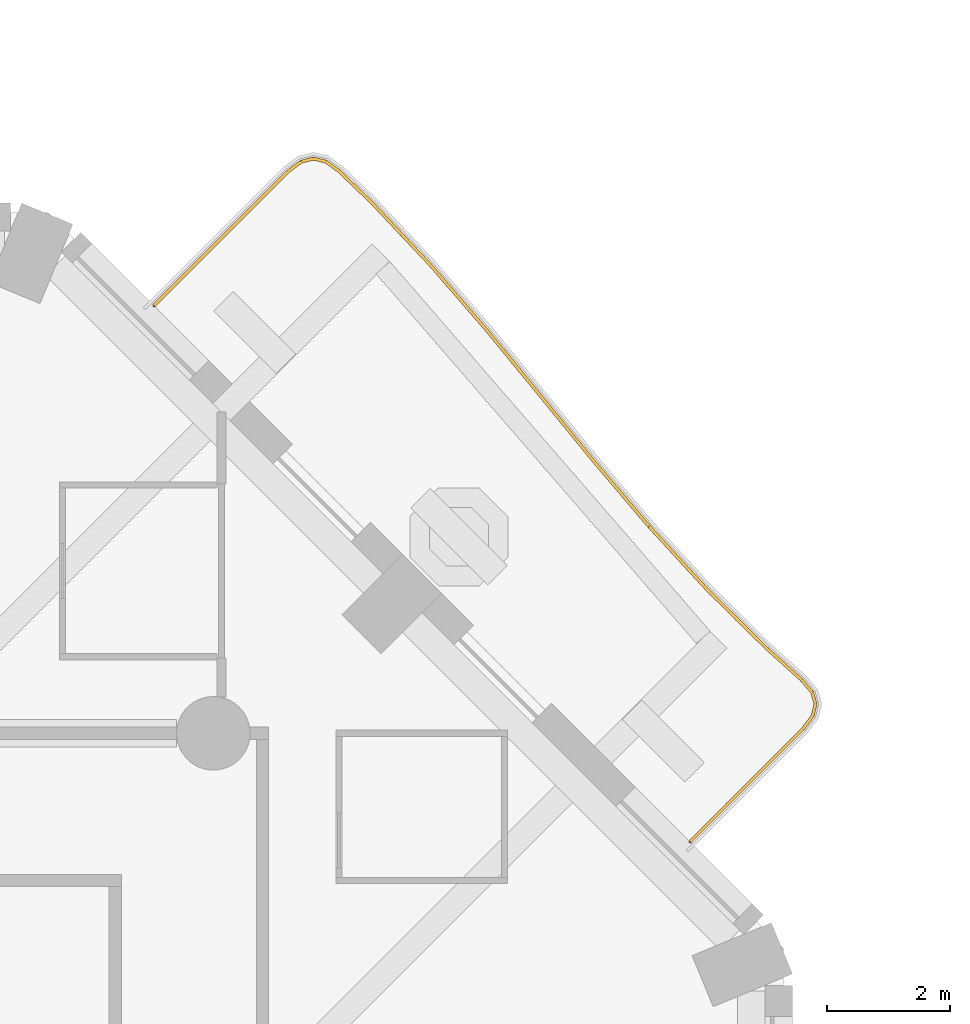
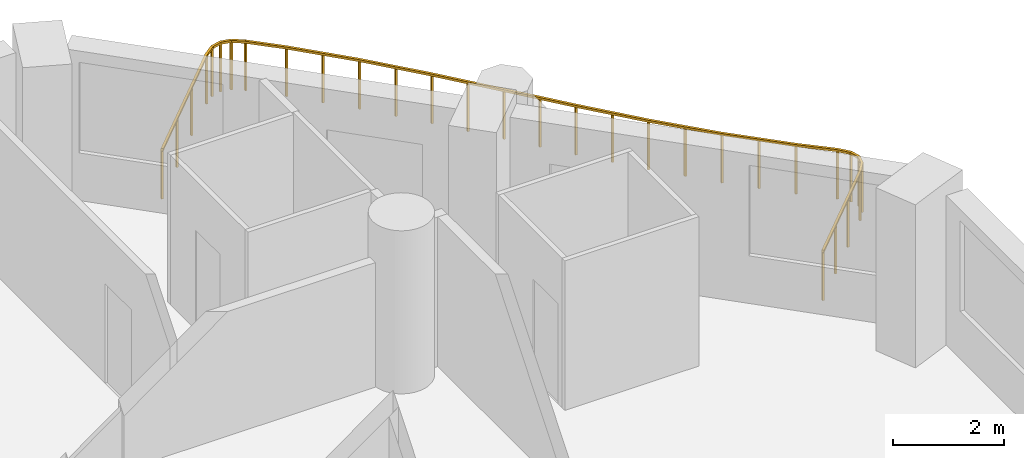
# One storey, part 19 of 20: 1 railing.
"""IFC4 building model written with IfcOpenShell, lengths in metres."""

import ifcopenshell
import ifcopenshell.guid

model = None  # the IFC model being written
_history = None  # IfcOwnerHistory: only IFC2X3 demands one
_inside = {}  # id of a spatial element -> (the spatial element, [elements in it])
_under = {}  # id of a project, library or spatial element -> (it, [spatial elements below it])
_declared = {}  # id of a project -> (the project, [libraries it declares])
_typed = {}  # id of a type object -> (the type object, [elements of that type])
_made_of = {}  # id of a material, layer set ... -> (it, [elements and type objects made of it])


def new_model(schema):
    """Start an empty IFC model of exactly this schema.

    Asked for "IFC4X3", IfcOpenShell would pick the latest addendum, in which some entities
    have other attributes; the version numbers below select the first issue.
    IFC2X3 requires an IfcOwnerHistory on every rooted entity: one is made here for all.
    """
    global model, _history
    if schema == "IFC4X3":
        model = ifcopenshell.file(schema_version=(4, 3, 0, 0))
    else:
        model = ifcopenshell.file(schema=schema)
    _inside.clear()
    _under.clear()
    _declared.clear()
    _typed.clear()
    _made_of.clear()
    _history = None
    if model.schema == "IFC2X3":
        org = make("IfcOrganization", Name="unknown")
        user = make(
            "IfcPersonAndOrganization",
            ThePerson=make("IfcPerson", FamilyName="unknown"),
            TheOrganization=org,
        )
        app = make(
            "IfcApplication",
            ApplicationDeveloper=org,
            Version="unknown",
            ApplicationFullName="unknown",
            ApplicationIdentifier="unknown",
        )
        _history = make(
            "IfcOwnerHistory",
            OwningUser=user,
            OwningApplication=app,
            ChangeAction="ADDED",
            CreationDate=0,
        )
    return model


def make(cls, **values):
    """One entity of the class cls with the attributes given. An attribute that is None is left unset."""
    return model.create_entity(
        cls, **{name: value for name, value in values.items() if value is not None}
    )


def rooted(cls, **values):
    """An entity with a GlobalId (a new one), such as an element, a storey or a relation."""
    return make(cls, GlobalId=ifcopenshell.guid.new(), OwnerHistory=_history, **values)


def si_unit(unit_type, name, prefix=None):
    """IfcSIUnit, for example si_unit("LENGTHUNIT", "METRE", prefix="MILLI")."""
    return make("IfcSIUnit", UnitType=unit_type, Prefix=prefix, Name=name)


def assignment(units):
    """IfcUnitAssignment: the units of a project."""
    return None if units is None else make("IfcUnitAssignment", Units=units)


def point(xyz):
    """IfcCartesianPoint."""
    return None if xyz is None else make("IfcCartesianPoint", Coordinates=xyz)


def direction(xyz):
    """IfcDirection."""
    return None if xyz is None else make("IfcDirection", DirectionRatios=xyz)


def frame(location, z_axis=None, x_axis=None):
    """IfcAxis2Placement3D, a coordinate frame: its origin and axes. An axis left out is left unset."""
    return make(
        "IfcAxis2Placement3D",
        Location=point(location),
        Axis=direction(z_axis),
        RefDirection=direction(x_axis),
    )


def frame_2d(location, x_axis=None):
    """IfcAxis2Placement2D, a coordinate frame in the plane: its origin and x axis."""
    return make(
        "IfcAxis2Placement2D", Location=point(location), RefDirection=direction(x_axis)
    )


def origin():
    """The frame at (0, 0, 0) with its axes left unset."""
    return frame((0.0, 0.0, 0.0))


def origin_2d():
    """The frame at (0, 0) in the plane with its x axis left unset."""
    return frame_2d((0.0, 0.0))


def place(relative_to, where):
    """IfcLocalPlacement: puts the frame where relative to a parent placement (None: the world)."""
    return make(
        "IfcLocalPlacement", PlacementRelTo=relative_to, RelativePlacement=where
    )


def context(
    kind, dimensions, precision=None, world=None, true_north=None, identifier=None
):
    """IfcGeometricRepresentationContext, for example the 3D "Model" context."""
    return make(
        "IfcGeometricRepresentationContext",
        ContextIdentifier=identifier,
        ContextType=kind,
        CoordinateSpaceDimension=dimensions,
        Precision=precision,
        WorldCoordinateSystem=world,
        TrueNorth=true_north,
    )


def subcontext(parent, identifier, kind, view, scale=None):
    """IfcGeometricRepresentationSubContext, for example "Body" below "Model"."""
    return make(
        "IfcGeometricRepresentationSubContext",
        ContextIdentifier=identifier,
        ContextType=kind,
        ParentContext=parent,
        TargetScale=scale,
        TargetView=view,
    )


def project(units=None, contexts=None):
    """IfcProject with its units and contexts."""
    return rooted(
        "IfcProject",
        Name="project",
        RepresentationContexts=contexts,
        UnitsInContext=assignment(units),
    )


def spatial(cls, under=None, at=None, **own):
    """A site, building, storey or space (cls), placed at a placement, below another one or the project."""
    s = rooted(cls, ObjectPlacement=at, **own)
    if under is not None:
        _under.setdefault(under.id(), (under, []))[1].append(s)
    return s


def profile(cls, at=None, kind="AREA", **sizes):
    """A parametric profile (cls). Its sizes go by their IFC names, for example OverallWidth=200.0."""
    return make(cls, ProfileType=kind, Position=at, **sizes)


def rectangle(**sizes):
    """IfcRectangleProfileDef."""
    return profile("IfcRectangleProfileDef", **sizes)


def extrude(swept, where, along, depth):
    """IfcExtrudedAreaSolid: the profile swept, set in the frame where, extruded along a direction by depth."""
    return make(
        "IfcExtrudedAreaSolid",
        SweptArea=swept,
        Position=where,
        ExtrudedDirection=direction(along),
        Depth=depth,
    )


def shape(context_of_items, identifier, shape_type, items):
    """IfcShapeRepresentation: the items that make up one representation, for example the "Body"."""
    return make(
        "IfcShapeRepresentation",
        ContextOfItems=context_of_items,
        RepresentationIdentifier=identifier,
        RepresentationType=shape_type,
        Items=items,
    )


def material(Name=None, Category=None):
    """IfcMaterial."""
    return make("IfcMaterial", Name=Name, Category=Category)


def made_of(thing, what):
    """Note that an element or type object is made of a material, layer set ...; save() writes the relation."""
    if what is not None:
        _made_of.setdefault(what.id(), (what, []))[1].append(thing)
    return thing


def type_object(cls, material=None, **own):
    """A type object (cls), such as IfcWallType, which elements share."""
    return made_of(rooted(cls, **own), material)


def element(
    cls,
    number,
    at=None,
    inside=None,
    cuts=None,
    type_object=None,
    material=None,
    context=None,
    identifier="Body",
    shape_type=None,
    held_by="IfcProductDefinitionShape",
    body=None,
    shapes=None,
    **own,
):
    """One element of the class cls, such as IfcWall. Its Tag is "e" and its number.

    at: its placement. inside: the storey or other place that contains it. cuts: it is an
    opening in that element (IfcRelVoidsElement). A single representation is given by context,
    identifier, shape_type and body (its items); several are given by shapes. held_by: the class
    of the entity that holds the representations. save() writes the other relations.
    """
    e = rooted(cls, Tag="e%d" % number, ObjectPlacement=at, **own)
    if body is not None:
        shapes = [shape(context, identifier, shape_type, body)]
    if shapes is not None:
        e.Representation = make(held_by, Representations=shapes)
    if inside is not None:
        _inside.setdefault(inside.id(), (inside, []))[1].append(e)
    if cuts is not None:
        rooted(
            "IfcRelVoidsElement", RelatingBuildingElement=cuts, RelatedOpeningElement=e
        )
    if type_object is not None:
        _typed.setdefault(type_object.id(), (type_object, []))[1].append(e)
    return made_of(e, material)


def aggregate(whole, parts):
    """IfcRelAggregates: a whole, such as a stair, and the parts it consists of."""
    return rooted("IfcRelAggregates", RelatingObject=whole, RelatedObjects=parts)


def save(model, path):
    """Write the relations noted so far, then the file.

    IfcRelAggregates (storeys below a building ...), IfcRelContainedInSpatialStructure (elements
    in a storey), IfcRelDefinesByType, IfcRelAssociatesMaterial and IfcRelDeclares: one each for
    every whole, place, type object, material and project.
    """
    for whole, parts in _under.values():
        aggregate(whole, parts)
    for where, things in _inside.values():
        rooted(
            "IfcRelContainedInSpatialStructure",
            RelatedElements=things,
            RelatingStructure=where,
        )
    for kind, things in _typed.values():
        rooted("IfcRelDefinesByType", RelatedObjects=things, RelatingType=kind)
    for what, things in _made_of.values():
        rooted("IfcRelAssociatesMaterial", RelatedObjects=things, RelatingMaterial=what)
    for by, libraries in _declared.values():
        rooted("IfcRelDeclares", RelatingContext=by, RelatedDefinitions=libraries)
    model.write(path)


model = new_model("IFC4")

# Units and contexts
model_context = context("Model", 3, precision=1e-05, world=origin(), true_north=direction((0.0, 1.0)))
body_context = subcontext(model_context, "Body", "Model", "MODEL_VIEW")
ifc_project = project(units=[si_unit("LENGTHUNIT", "METRE"), si_unit("AREAUNIT", "SQUARE_METRE"), si_unit("VOLUMEUNIT", "CUBIC_METRE"), si_unit("PLANEANGLEUNIT", "RADIAN"), si_unit("MASSUNIT", "GRAM", prefix="KILO")], contexts=[model_context])

# Site, building, storey
site_placement = place(None, origin())
site = spatial("IfcSite", under=ifc_project, at=site_placement, CompositionType="ELEMENT")
building_placement = place(site_placement, origin())
building = spatial("IfcBuilding", under=site, at=building_placement, Name="Cypress Arch Tower", CompositionType="ELEMENT")
storey_placement = place(building_placement, frame((0.0, 0.0, 84.300048828125)))
storey = spatial("IfcBuildingStorey", under=building, at=storey_placement, Name="L15", CompositionType="ELEMENT", Elevation=84.300048828125)

# Railing
ifc_material = material(Name="Powder-coated steel posts and rods, 100 mm clear between rods", Category="steel")
railing_type = type_object("IfcRailingType", Name="Balcony guard GR1100", PredefinedType="GUARDRAIL", material=ifc_material)
railing_placement = place(storey_placement, frame((14.33251953125, 24.479736328125, 0.0)))
element("IfcRailing", 1, at=railing_placement, inside=storey, type_object=railing_type, Name="Balcony guard L15-A07", PredefinedType="GUARDRAIL", context=body_context, shape_type="SweptSolid", body=[
    extrude(rectangle(XDim=0.050048828125, YDim=0.050048828125, at=origin_2d()), frame((0.0, 0.0, 1.0751953125), z_axis=(0.707106781187, 0.707106781187, 0.0), x_axis=(-0.707106781187, 0.707106781187, 0.0)), (0.0, 0.0, 1.0), 3.095947265625),
    extrude(rectangle(XDim=0.050048828125, YDim=0.050048828125, at=origin_2d()), frame((2.189208984375, 2.189208984375, 1.0751953125), z_axis=(0.799553516294, 0.600594850612, 0.0), x_axis=(-0.600594850612, 0.799553516294, 0.0)), (0.0, 0.0, 1.0), 0.2626953125),
    extrude(rectangle(XDim=0.050048828125, YDim=0.050048828125, at=origin_2d()), frame((2.399169921875, 2.346923828125, 1.0751953125), z_axis=(0.968881633372, 0.247524504876, 0.0), x_axis=(-0.247524504876, 0.968881633372, 0.0)), (0.0, 0.0, 1.0), 0.20703125),
    extrude(rectangle(XDim=0.050048828125, YDim=0.050048828125, at=origin_2d()), frame((2.599853515625, 2.398193359375, 1.0751953125), z_axis=(0.973448108617, -0.228907797663, 0.0), x_axis=(0.228907797663, 0.973448108617, 0.0)), (0.0, 0.0, 1.0), 0.20703125),
    extrude(rectangle(XDim=0.050048828125, YDim=0.050048828125, at=origin_2d()), frame((2.80126953125, 2.350830078125, 1.0751953125), z_axis=(0.810899611645, -0.585185286754, 0.0), x_axis=(0.585185286754, 0.810899611645, 0.0)), (0.0, 0.0, 1.0), 0.262939453125),
    extrude(rectangle(XDim=0.050048828125, YDim=0.050048828125, at=origin_2d()), frame((3.014404296875, 2.197021484375, 1.0751953125), z_axis=(0.720355998926, -0.69360452335, 0.0), x_axis=(0.69360452335, 0.720355998926, 0.0)), (0.0, 0.0, 1.0), 0.757568359375),
    extrude(rectangle(XDim=0.050048828125, YDim=0.050048828125, at=origin_2d()), frame((3.56005859375, 1.671630859375, 1.0751953125), z_axis=(0.685166579396, -0.728386407396, 0.0), x_axis=(0.728386407396, 0.685166579396, 0.0)), (0.0, 0.0, 1.0), 1.384033203125),
    extrude(rectangle(XDim=0.050048828125, YDim=0.050048828125, at=origin_2d()), frame((4.50830078125, 0.66357421875, 1.0751953125), z_axis=(0.653670260546, -0.756779486032, 0.0), x_axis=(0.756779486032, 0.653670260546, 0.0)), (0.0, 0.0, 1.0), 1.387451171875),
    extrude(rectangle(XDim=0.050048828125, YDim=0.050048828125, at=origin_2d()), frame((5.415283203125, -0.386474609375, 1.0751953125), z_axis=(0.634020842413, -0.773315958316, 0.0), x_axis=(0.773315958316, 0.634020842413, 0.0)), (0.0, 0.0, 1.0), 1.3916015625),
    extrude(rectangle(XDim=0.050048828125, YDim=0.050048828125, at=origin_2d()), frame((6.297607421875, -1.462646484375, 1.0751953125), z_axis=(0.631700253545, -0.775212738331, 0.0), x_axis=(0.775212738331, 0.631700253545, 0.0)), (0.0, 0.0, 1.0), 1.393310546875),
    extrude(rectangle(XDim=0.050048828125, YDim=0.050048828125, at=origin_2d()), frame((7.177734375, -2.542724609375, 1.0751953125), z_axis=(0.647128880235, -0.762380621714, 0.0), x_axis=(0.762380621714, 0.647128880235, 0.0)), (0.0, 0.0, 1.0), 1.391845703125),
    extrude(rectangle(XDim=0.050048828125, YDim=0.050048828125, at=origin_2d()), frame((8.078369140625, -3.603759765625, 1.0751953125), z_axis=(0.676321324947, -0.736606723715, 0.0), x_axis=(0.736606723715, 0.676321324947, 0.0)), (0.0, 0.0, 1.0), 1.38916015625),
    extrude(rectangle(XDim=0.050048828125, YDim=0.050048828125, at=origin_2d()), frame((9.017822265625, -4.626953125, 1.0751953125), z_axis=(0.711490453181, -0.702695762783, 0.0), x_axis=(0.702695762783, 0.711490453181, 0.0)), (0.0, 0.0, 1.0), 1.387939453125),
    extrude(rectangle(XDim=0.050048828125, YDim=0.050048828125, at=origin_2d()), frame((10.00537109375, -5.602294921875, 1.0751953125), z_axis=(0.744107305019, -0.66806011602, 0.0), x_axis=(0.66806011602, 0.744107305019, 0.0)), (0.0, 0.0, 1.0), 0.7607421875),
    extrude(rectangle(XDim=0.050048828125, YDim=0.050048828125, at=origin_2d()), frame((10.571533203125, -6.110595703125, 1.0751953125), z_axis=(0.640831134515, -0.767681872286, 0.0), x_axis=(0.767681872286, 0.640831134515, 0.0)), (0.0, 0.0, 1.0), 0.259765625),
    extrude(rectangle(XDim=0.050048828125, YDim=0.050048828125, at=origin_2d()), frame((10.738037109375, -6.31005859375, 1.0751953125), z_axis=(0.281367974892, -0.959599949304, 0.0), x_axis=(0.959599949304, 0.281367974892, 0.0)), (0.0, 0.0, 1.0), 0.19873046875),
    extrude(rectangle(XDim=0.050048828125, YDim=0.050048828125, at=origin_2d()), frame((10.7939453125, -6.500732421875, 1.0751953125), z_axis=(-0.230067825037, -0.973174596813, 0.0), x_axis=(0.973174596813, -0.230067825037, 0.0)), (0.0, 0.0, 1.0), 0.198486328125),
    extrude(rectangle(XDim=0.050048828125, YDim=0.050048828125, at=origin_2d()), frame((10.748291015625, -6.69384765625, 1.0751953125), z_axis=(-0.598796089029, -0.800901519392, 0.0), x_axis=(0.800901519392, -0.598796089029, 0.0)), (0.0, 0.0, 1.0), 0.259765625),
    extrude(rectangle(XDim=0.050048828125, YDim=0.050048828125, at=origin_2d()), frame((10.5927734375, -6.90185546875, 1.0751953125), z_axis=(-0.707106781187, -0.707106781187, 0.0), x_axis=(0.707106781187, -0.707106781187, 0.0)), (0.0, 0.0, 1.0), 2.60986328125),
    extrude(rectangle(XDim=0.0400390625, YDim=0.0400390625, at=origin_2d()), origin(), (0.0, 0.0, 1.0), 1.050048828125),
    extrude(rectangle(XDim=0.0400390625, YDim=0.0400390625, at=origin_2d()), frame((0.729736328125, 0.729736328125, 0.0)), (0.0, 0.0, 1.0), 1.050048828125),
    extrude(rectangle(XDim=0.0400390625, YDim=0.0400390625, at=origin_2d()), frame((1.45947265625, 1.45947265625, 0.0)), (0.0, 0.0, 1.0), 1.050048828125),
    extrude(rectangle(XDim=0.0400390625, YDim=0.0400390625, at=origin_2d()), frame((2.189208984375, 2.189208984375, 0.0)), (0.0, 0.0, 1.0), 1.050048828125),
    extrude(rectangle(XDim=0.0400390625, YDim=0.0400390625, at=origin_2d()), frame((2.399169921875, 2.346923828125, 0.0)), (0.0, 0.0, 1.0), 1.050048828125),
    extrude(rectangle(XDim=0.0400390625, YDim=0.0400390625, at=origin_2d()), frame((2.599853515625, 2.398193359375, 0.0)), (0.0, 0.0, 1.0), 1.050048828125),
    extrude(rectangle(XDim=0.0400390625, YDim=0.0400390625, at=origin_2d()), frame((2.80126953125, 2.350830078125, 0.0)), (0.0, 0.0, 1.0), 1.050048828125),
    extrude(rectangle(XDim=0.0400390625, YDim=0.0400390625, at=origin_2d()), frame((3.014404296875, 2.197021484375, 0.0)), (0.0, 0.0, 1.0), 1.050048828125),
    extrude(rectangle(XDim=0.0400390625, YDim=0.0400390625, at=origin_2d()), frame((3.56005859375, 1.671630859375, 0.0)), (0.0, 0.0, 1.0), 1.050048828125),
    extrude(rectangle(XDim=0.0400390625, YDim=0.0400390625, at=origin_2d()), frame((4.0341796875, 1.16748046875, 0.0)), (0.0, 0.0, 1.0), 1.050048828125),
    extrude(rectangle(XDim=0.0400390625, YDim=0.0400390625, at=origin_2d()), frame((4.50830078125, 0.66357421875, 0.0)), (0.0, 0.0, 1.0), 1.050048828125),
    extrude(rectangle(XDim=0.0400390625, YDim=0.0400390625, at=origin_2d()), frame((4.9619140625, 0.138671875, 0.0)), (0.0, 0.0, 1.0), 1.050048828125),
    extrude(rectangle(XDim=0.0400390625, YDim=0.0400390625, at=origin_2d()), frame((5.415283203125, -0.386474609375, 0.0)), (0.0, 0.0, 1.0), 1.050048828125),
    extrude(rectangle(XDim=0.0400390625, YDim=0.0400390625, at=origin_2d()), frame((5.8564453125, -0.924560546875, 0.0)), (0.0, 0.0, 1.0), 1.050048828125),
    extrude(rectangle(XDim=0.0400390625, YDim=0.0400390625, at=origin_2d()), frame((6.297607421875, -1.462646484375, 0.0)), (0.0, 0.0, 1.0), 1.050048828125),
    extrude(rectangle(XDim=0.0400390625, YDim=0.0400390625, at=origin_2d()), frame((6.73779296875, -2.002685546875, 0.0)), (0.0, 0.0, 1.0), 1.050048828125),
    extrude(rectangle(XDim=0.0400390625, YDim=0.0400390625, at=origin_2d()), frame((7.177734375, -2.542724609375, 0.0)), (0.0, 0.0, 1.0), 1.050048828125),
    extrude(rectangle(XDim=0.0400390625, YDim=0.0400390625, at=origin_2d()), frame((7.6279296875, -3.0732421875, 0.0)), (0.0, 0.0, 1.0), 1.050048828125),
    extrude(rectangle(XDim=0.0400390625, YDim=0.0400390625, at=origin_2d()), frame((8.078369140625, -3.603759765625, 0.0)), (0.0, 0.0, 1.0), 1.050048828125),
    extrude(rectangle(XDim=0.0400390625, YDim=0.0400390625, at=origin_2d()), frame((8.548095703125, -4.115234375, 0.0)), (0.0, 0.0, 1.0), 1.050048828125),
    extrude(rectangle(XDim=0.0400390625, YDim=0.0400390625, at=origin_2d()), frame((9.017822265625, -4.626953125, 0.0)), (0.0, 0.0, 1.0), 1.050048828125),
    extrude(rectangle(XDim=0.0400390625, YDim=0.0400390625, at=origin_2d()), frame((9.51171875, -5.11474609375, 0.0)), (0.0, 0.0, 1.0), 1.050048828125),
    extrude(rectangle(XDim=0.0400390625, YDim=0.0400390625, at=origin_2d()), frame((10.00537109375, -5.602294921875, 0.0)), (0.0, 0.0, 1.0), 1.050048828125),
    extrude(rectangle(XDim=0.0400390625, YDim=0.0400390625, at=origin_2d()), frame((10.571533203125, -6.110595703125, 0.0)), (0.0, 0.0, 1.0), 1.050048828125),
    extrude(rectangle(XDim=0.0400390625, YDim=0.0400390625, at=origin_2d()), frame((10.738037109375, -6.31005859375, 0.0)), (0.0, 0.0, 1.0), 1.050048828125),
    extrude(rectangle(XDim=0.0400390625, YDim=0.0400390625, at=origin_2d()), frame((10.7939453125, -6.500732421875, 0.0)), (0.0, 0.0, 1.0), 1.050048828125),
    extrude(rectangle(XDim=0.0400390625, YDim=0.0400390625, at=origin_2d()), frame((10.748291015625, -6.69384765625, 0.0)), (0.0, 0.0, 1.0), 1.050048828125),
    extrude(rectangle(XDim=0.0400390625, YDim=0.0400390625, at=origin_2d()), frame((10.5927734375, -6.90185546875, 0.0)), (0.0, 0.0, 1.0), 1.050048828125),
    extrude(rectangle(XDim=0.0400390625, YDim=0.0400390625, at=origin_2d()), frame((9.9775390625, -7.51708984375, 0.0)), (0.0, 0.0, 1.0), 1.050048828125),
    extrude(rectangle(XDim=0.0400390625, YDim=0.0400390625, at=origin_2d()), frame((9.362548828125, -8.132080078125, 0.0)), (0.0, 0.0, 1.0), 1.050048828125),
    extrude(rectangle(XDim=0.0400390625, YDim=0.0400390625, at=origin_2d()), frame((8.747314453125, -8.747314453125, 0.0)), (0.0, 0.0, 1.0), 1.050048828125),
])

save(model, "model.ifc")
